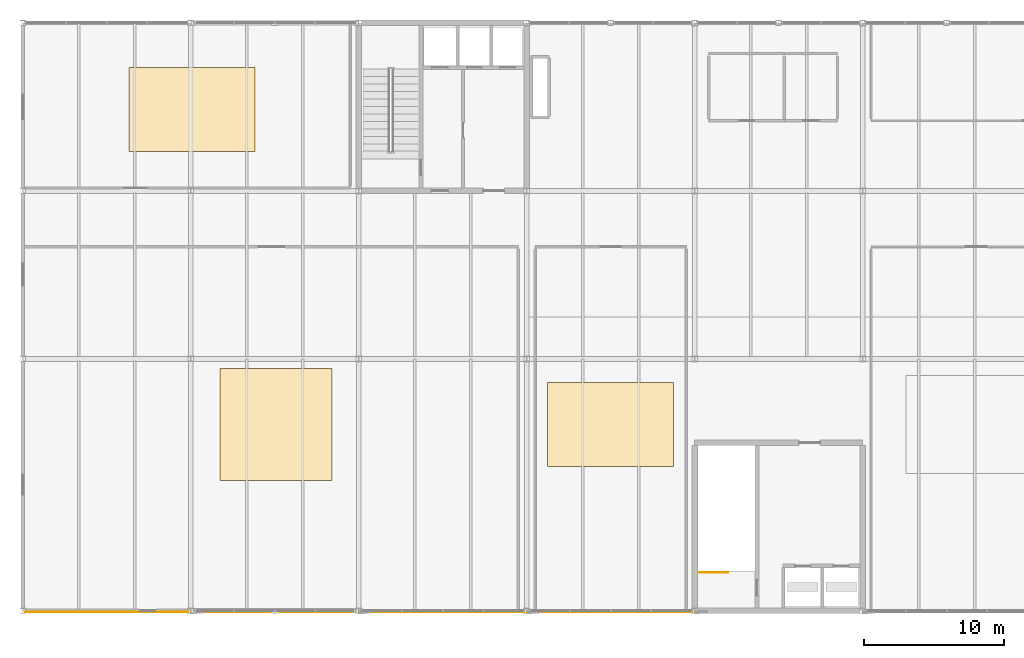
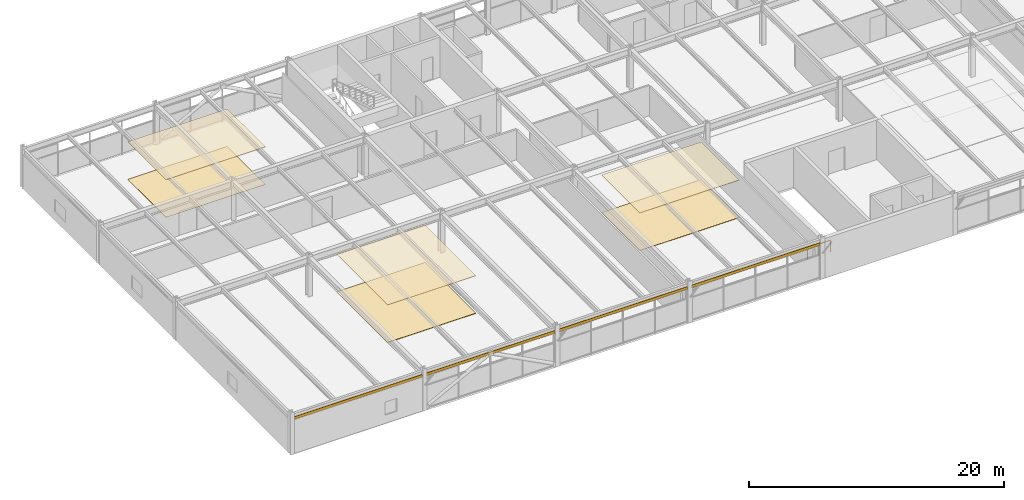
# One storey, part 49 of 52: 6 coverings, 4 shading devices, 1 railing.
"""IFC4 building model written with IfcOpenShell, lengths in metres."""

import ifcopenshell
import ifcopenshell.guid

model = None  # the IFC model being written
_history = None  # IfcOwnerHistory: only IFC2X3 demands one
_inside = {}  # id of a spatial element -> (the spatial element, [elements in it])
_under = {}  # id of a project, library or spatial element -> (it, [spatial elements below it])
_declared = {}  # id of a project -> (the project, [libraries it declares])
_typed = {}  # id of a type object -> (the type object, [elements of that type])
_made_of = {}  # id of a material, layer set ... -> (it, [elements and type objects made of it])


def new_model(schema):
    """Start an empty IFC model of exactly this schema.

    Asked for "IFC4X3", IfcOpenShell would pick the latest addendum, in which some entities
    have other attributes; the version numbers below select the first issue.
    IFC2X3 requires an IfcOwnerHistory on every rooted entity: one is made here for all.
    """
    global model, _history
    if schema == "IFC4X3":
        model = ifcopenshell.file(schema_version=(4, 3, 0, 0))
    else:
        model = ifcopenshell.file(schema=schema)
    _inside.clear()
    _under.clear()
    _declared.clear()
    _typed.clear()
    _made_of.clear()
    _history = None
    if model.schema == "IFC2X3":
        org = make("IfcOrganization", Name="unknown")
        user = make(
            "IfcPersonAndOrganization",
            ThePerson=make("IfcPerson", FamilyName="unknown"),
            TheOrganization=org,
        )
        app = make(
            "IfcApplication",
            ApplicationDeveloper=org,
            Version="unknown",
            ApplicationFullName="unknown",
            ApplicationIdentifier="unknown",
        )
        _history = make(
            "IfcOwnerHistory",
            OwningUser=user,
            OwningApplication=app,
            ChangeAction="ADDED",
            CreationDate=0,
        )
    return model


def make(cls, **values):
    """One entity of the class cls with the attributes given. An attribute that is None is left unset."""
    return model.create_entity(
        cls, **{name: value for name, value in values.items() if value is not None}
    )


def rooted(cls, **values):
    """An entity with a GlobalId (a new one), such as an element, a storey or a relation."""
    return make(cls, GlobalId=ifcopenshell.guid.new(), OwnerHistory=_history, **values)


def si_unit(unit_type, name, prefix=None):
    """IfcSIUnit, for example si_unit("LENGTHUNIT", "METRE", prefix="MILLI")."""
    return make("IfcSIUnit", UnitType=unit_type, Prefix=prefix, Name=name)


def assignment(units):
    """IfcUnitAssignment: the units of a project."""
    return None if units is None else make("IfcUnitAssignment", Units=units)


def point(xyz):
    """IfcCartesianPoint."""
    return None if xyz is None else make("IfcCartesianPoint", Coordinates=xyz)


def direction(xyz):
    """IfcDirection."""
    return None if xyz is None else make("IfcDirection", DirectionRatios=xyz)


def frame(location, z_axis=None, x_axis=None):
    """IfcAxis2Placement3D, a coordinate frame: its origin and axes. An axis left out is left unset."""
    return make(
        "IfcAxis2Placement3D",
        Location=point(location),
        Axis=direction(z_axis),
        RefDirection=direction(x_axis),
    )


def frame_2d(location, x_axis=None):
    """IfcAxis2Placement2D, a coordinate frame in the plane: its origin and x axis."""
    return make(
        "IfcAxis2Placement2D", Location=point(location), RefDirection=direction(x_axis)
    )


def origin():
    """The frame at (0, 0, 0) with its axes left unset."""
    return frame((0.0, 0.0, 0.0))


def origin_2d():
    """The frame at (0, 0) in the plane with its x axis left unset."""
    return frame_2d((0.0, 0.0))


def place(relative_to, where):
    """IfcLocalPlacement: puts the frame where relative to a parent placement (None: the world)."""
    return make(
        "IfcLocalPlacement", PlacementRelTo=relative_to, RelativePlacement=where
    )


def context(
    kind, dimensions, precision=None, world=None, true_north=None, identifier=None
):
    """IfcGeometricRepresentationContext, for example the 3D "Model" context."""
    return make(
        "IfcGeometricRepresentationContext",
        ContextIdentifier=identifier,
        ContextType=kind,
        CoordinateSpaceDimension=dimensions,
        Precision=precision,
        WorldCoordinateSystem=world,
        TrueNorth=true_north,
    )


def subcontext(parent, identifier, kind, view, scale=None):
    """IfcGeometricRepresentationSubContext, for example "Body" below "Model"."""
    return make(
        "IfcGeometricRepresentationSubContext",
        ContextIdentifier=identifier,
        ContextType=kind,
        ParentContext=parent,
        TargetScale=scale,
        TargetView=view,
    )


def project(units=None, contexts=None):
    """IfcProject with its units and contexts."""
    return rooted(
        "IfcProject",
        Name="project",
        RepresentationContexts=contexts,
        UnitsInContext=assignment(units),
    )


def spatial(cls, under=None, at=None, **own):
    """A site, building, storey or space (cls), placed at a placement, below another one or the project."""
    s = rooted(cls, ObjectPlacement=at, **own)
    if under is not None:
        _under.setdefault(under.id(), (under, []))[1].append(s)
    return s


def profile(cls, at=None, kind="AREA", **sizes):
    """A parametric profile (cls). Its sizes go by their IFC names, for example OverallWidth=200.0."""
    return make(cls, ProfileType=kind, Position=at, **sizes)


def rectangle(**sizes):
    """IfcRectangleProfileDef."""
    return profile("IfcRectangleProfileDef", **sizes)


def circle(**sizes):
    """IfcCircleProfileDef."""
    return profile("IfcCircleProfileDef", **sizes)


def extrude(swept, where, along, depth):
    """IfcExtrudedAreaSolid: the profile swept, set in the frame where, extruded along a direction by depth."""
    return make(
        "IfcExtrudedAreaSolid",
        SweptArea=swept,
        Position=where,
        ExtrudedDirection=direction(along),
        Depth=depth,
    )


def shape(context_of_items, identifier, shape_type, items):
    """IfcShapeRepresentation: the items that make up one representation, for example the "Body"."""
    return make(
        "IfcShapeRepresentation",
        ContextOfItems=context_of_items,
        RepresentationIdentifier=identifier,
        RepresentationType=shape_type,
        Items=items,
    )


def material(Name=None, Category=None):
    """IfcMaterial."""
    return make("IfcMaterial", Name=Name, Category=Category)


def layer(
    of_material, thickness, ventilated=None, Name=None, Category=None, Priority=None
):
    """IfcMaterialLayer: one layer of a wall or slab, of a material (None: an air gap)."""
    return make(
        "IfcMaterialLayer",
        Material=of_material,
        LayerThickness=thickness,
        IsVentilated=ventilated,
        Name=Name,
        Category=Category,
        Priority=Priority,
    )


def layer_set(layers, Name=None):
    """IfcMaterialLayerSet."""
    return make("IfcMaterialLayerSet", MaterialLayers=layers, LayerSetName=Name)


def made_of(thing, what):
    """Note that an element or type object is made of a material, layer set ...; save() writes the relation."""
    if what is not None:
        _made_of.setdefault(what.id(), (what, []))[1].append(thing)
    return thing


def type_object(cls, material=None, **own):
    """A type object (cls), such as IfcWallType, which elements share."""
    return made_of(rooted(cls, **own), material)


def element(
    cls,
    number,
    at=None,
    inside=None,
    cuts=None,
    type_object=None,
    material=None,
    context=None,
    identifier="Body",
    shape_type=None,
    held_by="IfcProductDefinitionShape",
    body=None,
    shapes=None,
    **own,
):
    """One element of the class cls, such as IfcWall. Its Tag is "e" and its number.

    at: its placement. inside: the storey or other place that contains it. cuts: it is an
    opening in that element (IfcRelVoidsElement). A single representation is given by context,
    identifier, shape_type and body (its items); several are given by shapes. held_by: the class
    of the entity that holds the representations. save() writes the other relations.
    """
    e = rooted(cls, Tag="e%d" % number, ObjectPlacement=at, **own)
    if body is not None:
        shapes = [shape(context, identifier, shape_type, body)]
    if shapes is not None:
        e.Representation = make(held_by, Representations=shapes)
    if inside is not None:
        _inside.setdefault(inside.id(), (inside, []))[1].append(e)
    if cuts is not None:
        rooted(
            "IfcRelVoidsElement", RelatingBuildingElement=cuts, RelatedOpeningElement=e
        )
    if type_object is not None:
        _typed.setdefault(type_object.id(), (type_object, []))[1].append(e)
    return made_of(e, material)


def aggregate(whole, parts):
    """IfcRelAggregates: a whole, such as a stair, and the parts it consists of."""
    return rooted("IfcRelAggregates", RelatingObject=whole, RelatedObjects=parts)


def save(model, path):
    """Write the relations noted so far, then the file.

    IfcRelAggregates (storeys below a building ...), IfcRelContainedInSpatialStructure (elements
    in a storey), IfcRelDefinesByType, IfcRelAssociatesMaterial and IfcRelDeclares: one each for
    every whole, place, type object, material and project.
    """
    for whole, parts in _under.values():
        aggregate(whole, parts)
    for where, things in _inside.values():
        rooted(
            "IfcRelContainedInSpatialStructure",
            RelatedElements=things,
            RelatingStructure=where,
        )
    for kind, things in _typed.values():
        rooted("IfcRelDefinesByType", RelatedObjects=things, RelatingType=kind)
    for what, things in _made_of.values():
        rooted("IfcRelAssociatesMaterial", RelatedObjects=things, RelatingMaterial=what)
    for by, libraries in _declared.values():
        rooted("IfcRelDeclares", RelatingContext=by, RelatedDefinitions=libraries)
    model.write(path)


model = new_model("IFC4")

# Units and contexts
model_context = context("Model", 3, precision=1e-05, world=origin(), true_north=direction((0.0, 1.0)))
body_context = subcontext(model_context, "Body", "Model", "MODEL_VIEW")
ifc_project = project(units=[si_unit("LENGTHUNIT", "METRE"), si_unit("AREAUNIT", "SQUARE_METRE"), si_unit("VOLUMEUNIT", "CUBIC_METRE"), si_unit("PLANEANGLEUNIT", "RADIAN"), si_unit("MASSUNIT", "GRAM", prefix="KILO")], contexts=[model_context])

# Site, building, storey
site_placement = place(None, origin())
site = spatial("IfcSite", under=ifc_project, at=site_placement, CompositionType="ELEMENT")
building_placement = place(site_placement, origin())
building = spatial("IfcBuilding", under=site, at=building_placement, Name="Girod Span Mobility Hub", CompositionType="ELEMENT")
storey_placement = place(building_placement, frame((0.0, 0.0, 45.60009765625)))
storey = spatial("IfcBuildingStorey", under=building, at=storey_placement, Name="L11", CompositionType="ELEMENT", Elevation=45.60009765625)

# Coverings
ifc_material_1 = material(Name="Perforated Mineral-Fibre Acoustic Ceiling Tile", Category="mineral")
ifc_layer_1 = layer(ifc_material_1, 0.0400390625)
ifc_layer_set_1 = layer_set([ifc_layer_1], Name="Perforated Mineral-Fibre Acoustic Ceiling Tile")
covering_type_1 = type_object("IfcCoveringType", Name="COV-CLG-800X800", PredefinedType="CEILING", material=ifc_layer_set_1)
covering_1_placement = place(storey_placement, frame((42.10009765625, 40.300048828125, 3.5849609375), z_axis=(0.0, 0.0, 1.0), x_axis=(1.0, 0.0, 0.0)))
element("IfcCovering", 1, at=covering_1_placement, inside=storey, type_object=covering_type_1, Name="Dispatch Control Hall West Acoustic Ceiling", PredefinedType="CEILING", context=body_context, shape_type="SweptSolid", body=[
    extrude(rectangle(XDim=8.0, YDim=8.0, at=origin_2d()), origin(), (0.0, 0.0, 1.0), 0.0400390625),
])
ifc_material_2 = material(Name="Perforated Mineral-Fibre Acoustic Ceiling Tile", Category="mineral")
ifc_layer_2 = layer(ifc_material_2, 0.044921875)
ifc_layer_set_2 = layer_set([ifc_layer_2], Name="Perforated Mineral-Fibre Acoustic Ceiling Tile")
covering_type_2 = type_object("IfcCoveringType", Name="COV-CLG-900X600", PredefinedType="CEILING", material=ifc_layer_set_2)
for number, where, z_axis, x_axis, name in (
    (2, (66.0, 40.300048828125, 3.5849609375), (0.0, 0.0, 1.0), (1.0, 0.0, 0.0), "Office Suite Dispatch Support Acoustic Ceiling"),
    (3, (36.10009765625, 62.800048828125, 3.5849609375), (0.0, 0.0, 1.0), (1.0, 0.0, 0.0), "Engineering Studio North West Acoustic Ceiling"),
):
    element("IfcCovering", number, at=place(storey_placement, frame(where, z_axis=z_axis, x_axis=x_axis)), inside=storey, type_object=covering_type_2, Name=name, PredefinedType="CEILING", context=body_context, shape_type="SweptSolid", body=[
        extrude(rectangle(XDim=9.0, YDim=6.0, at=origin_2d()), origin(), (0.0, 0.0, 1.0), 0.044921875),
    ])
ifc_material_3 = material(Name="Epoxy Terrazzo and Raised Access Flooring", Category="polymer")
ifc_layer_3 = layer(ifc_material_3, 0.034912109375)
ifc_layer_set_3 = layer_set([ifc_layer_3], Name="Epoxy Terrazzo and Raised Access Flooring")
covering_type_3 = type_object("IfcCoveringType", Name="COV-FLR-800X800", PredefinedType="FLOORING", material=ifc_layer_set_3)
covering_2_placement = place(storey_placement, frame((42.10009765625, 40.300048828125, 0.0), z_axis=(0.0, 0.0, 1.0), x_axis=(1.0, 0.0, 0.0)))
element("IfcCovering", 4, at=covering_2_placement, inside=storey, type_object=covering_type_3, Name="Dispatch Control Hall West Floor Finish", PredefinedType="FLOORING", context=body_context, shape_type="SweptSolid", body=[
    extrude(rectangle(XDim=8.0, YDim=8.0, at=origin_2d()), origin(), (0.0, 0.0, 1.0), 0.034912109375),
])
ifc_material_4 = material(Name="Epoxy Terrazzo and Raised Access Flooring", Category="polymer")
ifc_layer_4 = layer(ifc_material_4, 0.030029296875)
ifc_layer_set_4 = layer_set([ifc_layer_4], Name="Epoxy Terrazzo and Raised Access Flooring")
covering_type_4 = type_object("IfcCoveringType", Name="COV-FLR-900X600", PredefinedType="FLOORING", material=ifc_layer_set_4)
for number, where, z_axis, x_axis, name in (
    (5, (66.0, 40.300048828125, 0.0), (0.0, 0.0, 1.0), (1.0, 0.0, 0.0), "Office Suite Dispatch Support Floor Finish"),
    (6, (36.10009765625, 62.800048828125, 0.0), (0.0, 0.0, 1.0), (1.0, 0.0, 0.0), "Engineering Studio North West Floor Finish"),
):
    element("IfcCovering", number, at=place(storey_placement, frame(where, z_axis=z_axis, x_axis=x_axis)), inside=storey, type_object=covering_type_4, Name=name, PredefinedType="FLOORING", context=body_context, shape_type="SweptSolid", body=[
        extrude(rectangle(XDim=9.0, YDim=6.0, at=origin_2d()), origin(), (0.0, 0.0, 1.0), 0.030029296875),
    ])

# Railing
ifc_material_5 = material(Name="Painted Galvanised Steel", Category="steel")
ifc_layer_5 = layer(ifc_material_5, 0.06494140625)
ifc_layer_set_5 = layer_set([ifc_layer_5], Name="Painted Galvanised Steel")
railing_type = type_object("IfcRailingType", Name="RL-GRD-1120", PredefinedType="GUARDRAIL", material=ifc_layer_set_5)
railing_placement = place(storey_placement, frame((72.320068359375, 29.739990234375, 0.0)))
element("IfcRailing", 7, at=railing_placement, inside=storey, type_object=railing_type, Name="Stair ST-3 Top Landing Guardrail L11", PredefinedType="GUARDRAIL", context=body_context, shape_type="SweptSolid", body=[
    extrude(circle(Radius=0.02392578125, at=origin_2d()), frame((0.0, 0.0, 1.09619140625), z_axis=(1.0, 0.0, 0.0), x_axis=(0.0, 1.0, 0.0)), (0.0, 0.0, 1.0), 2.059814453125),
    extrude(circle(Radius=0.02099609375, at=origin_2d()), origin(), (0.0, 0.0, 1.0), 1.072021484375),
    extrude(circle(Radius=0.02099609375, at=origin_2d()), frame((1.02978515625, 0.0, 0.0)), (0.0, 0.0, 1.0), 1.072021484375),
    extrude(circle(Radius=0.02099609375, at=origin_2d()), frame((2.059814453125, 0.0, 0.0)), (0.0, 0.0, 1.0), 1.072021484375),
])

# Shading devices
ifc_material_6 = material(Name="Aluminium 6063-T6", Category="aluminium")
ifc_layer_6 = layer(ifc_material_6, 0.0458984375)
ifc_layer_set_6 = layer_set([ifc_layer_6], Name="Aluminium 6063-T6")
shading_device_type = type_object("IfcShadingDeviceType", Name="SHD-SHT-11610X260X46", PredefinedType="SHUTTER", material=ifc_layer_set_6)
for number, where, z_axis, x_axis, name in (
    (8, (30.0, 26.919921875, 3.2158203125), (0.0, 0.0, 1.0), (1.0, 0.0, 0.0), "External Solar Shading Blade 3 L11"),
    (9, (42.0, 26.919921875, 3.2158203125), (0.0, 0.0, 1.0), (1.0, 0.0, 0.0), "External Solar Shading Blade 4 L11"),
    (10, (54.0, 26.919921875, 3.2158203125), (0.0, 0.0, 1.0), (1.0, 0.0, 0.0), "External Solar Shading Blade 5 L11"),
    (11, (66.0, 26.919921875, 3.2158203125), (0.0, 0.0, 1.0), (1.0, 0.0, 0.0), "External Solar Shading Blade 6 L11"),
):
    element("IfcShadingDevice", number, at=place(storey_placement, frame(where, z_axis=z_axis, x_axis=x_axis)), inside=storey, type_object=shading_device_type, Name=name, PredefinedType="SHUTTER", context=body_context, shape_type="SweptSolid", body=[
        extrude(rectangle(XDim=11.610107421875, YDim=0.0458984375, at=origin_2d()), origin(), (0.0, 0.0, 1.0), 0.260009765625),
    ])

save(model, "model.ifc")
